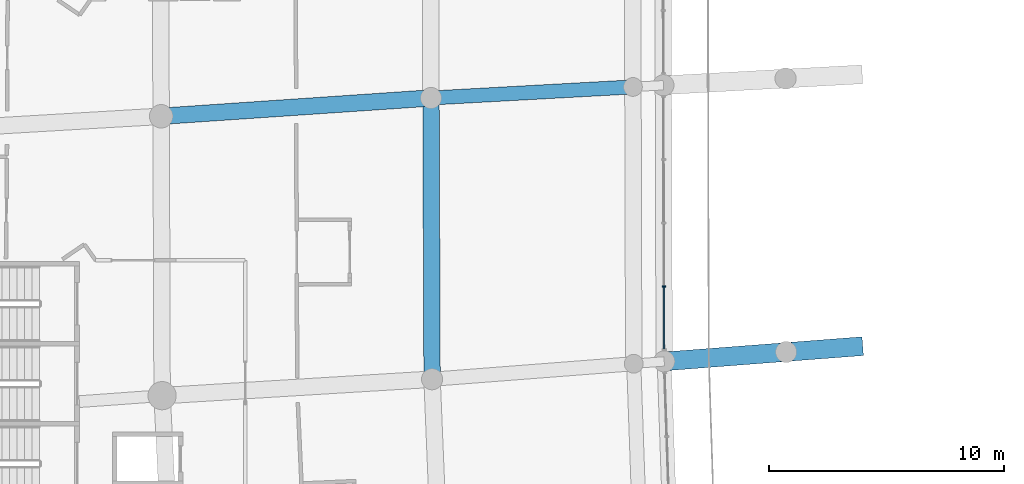
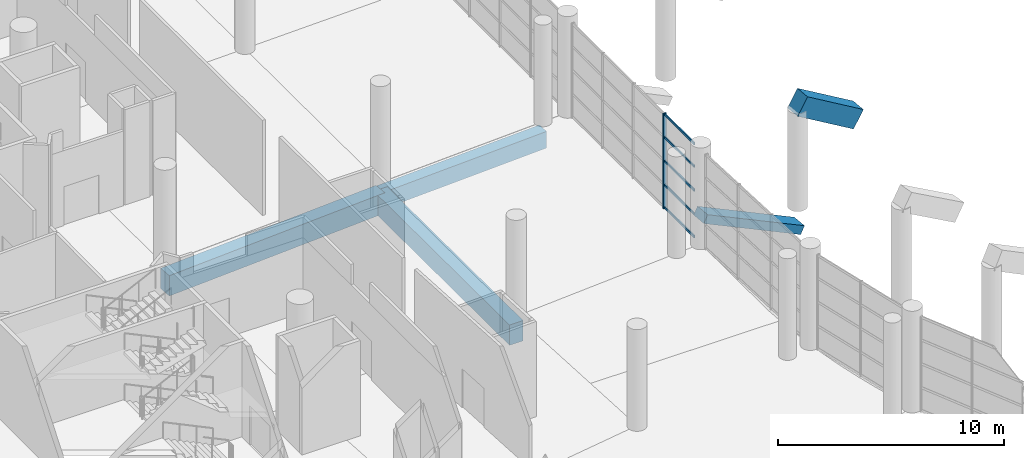
# One storey, part 33 of 271: 6 members, 5 beams, 1 element without a shape of its own.
"""IFC4 building model written with IfcOpenShell, lengths in metres."""

from ifc_helpers import new_model, si_unit, direction, frame, origin, origin_2d, place, context, subcontext, project, spatial, rectangle, extrude, material, layer, layer_set, material_profile, profile_set, type_object, element, aggregate, save


model = new_model("IFC4")

# Units and contexts
model_context = context("Model", 3, precision=1e-05, world=origin(), true_north=direction((0.0, 1.0)))
body_context = subcontext(model_context, "Body", "Model", "MODEL_VIEW")
ifc_project = project(units=[si_unit("LENGTHUNIT", "METRE"), si_unit("AREAUNIT", "SQUARE_METRE"), si_unit("VOLUMEUNIT", "CUBIC_METRE"), si_unit("PLANEANGLEUNIT", "RADIAN"), si_unit("MASSUNIT", "GRAM", prefix="KILO")], contexts=[model_context])

# Site, building, storey
site_placement = place(None, origin())
site = spatial("IfcSite", under=ifc_project, at=site_placement, CompositionType="ELEMENT")
building_placement = place(site_placement, origin())
building = spatial("IfcBuilding", under=site, at=building_placement, Name="Meseta Stadium", CompositionType="ELEMENT")
storey_placement = place(building_placement, frame((0.0, 0.0, 6.5)))
storey = spatial("IfcBuildingStorey", under=building, at=storey_placement, Name="L01", CompositionType="ELEMENT", Elevation=6.5)

# Curtain wall, members
ifc_material_1 = material(Name="Aluminium", Category="aluminium")
ifc_layer = layer(ifc_material_1, 0.199951171875)
ifc_layer_set = layer_set([ifc_layer], Name="Club glazing curtain wall")
curtain_wall_type = type_object("IfcCurtainWallType", Name="Club glazing curtain wall", PredefinedType="NOTDEFINED", material=ifc_layer_set)
curtain_wall_placement = place(storey_placement, origin())
curtain_wall = element("IfcCurtainWall", 1, at=curtain_wall_placement, inside=storey, type_object=curtain_wall_type, Name="Club glazing bay 35", PredefinedType="NOTDEFINED")
ifc_material_2 = material(Name="Aluminium", Category="aluminium")
ifc_material_profile_1 = material_profile(ifc_material_2, rectangle(XDim=0.159912109375, YDim=0.06005859375, at=origin_2d()), Name="CW 160x60")
ifc_profile_set_1 = profile_set([ifc_material_profile_1], Name="Aluminium")
member_type_1 = type_object("IfcMemberType", Name="CW mullion 60x160", PredefinedType="MULLION", material=ifc_profile_set_1)
member_1_placement = place(storey_placement, frame((-63.54248046875, -37.92138671875, 0.0), z_axis=(0.0, 0.0, 1.0), x_axis=(0.999996195715, 0.002758360998, 0.0)))
member_1 = element("IfcMember", 2, at=member_1_placement, type_object=member_type_1, Name="CWC mullion 4", PredefinedType="MULLION", context=body_context, shape_type="SweptSolid", body=[
    extrude(rectangle(XDim=0.159912109375, YDim=0.06005859375, at=origin_2d()), origin(), (0.0, 0.0, 1.0), 5.14990234375),
])
ifc_material_3 = material(Name="Aluminium", Category="aluminium")
ifc_material_profile_2 = material_profile(ifc_material_3, rectangle(XDim=0.06005859375, YDim=0.1201171875, at=origin_2d()), Name="CW 60x120")
ifc_profile_set_2 = profile_set([ifc_material_profile_2], Name="Aluminium")
member_type_2 = type_object("IfcMemberType", Name="CW transom 60x120", PredefinedType="USERDEFINED", material=ifc_profile_set_2)
member_2_placement = place(storey_placement, frame((-63.54248046875, -37.951416015625, 0.06005859375), z_axis=(0.002802941433, -0.999996071752, 0.0), x_axis=(0.999996071752, 0.002802941433, 0.0)))
member_2 = element("IfcMember", 3, at=member_2_placement, type_object=member_type_2, Name="CWC transom 4.1", ObjectType="TRANSOM", PredefinedType="USERDEFINED", context=body_context, shape_type="SweptSolid", body=[
    extrude(rectangle(XDim=0.06005859375, YDim=0.1201171875, at=origin_2d()), origin(), (0.0, 0.0, 1.0), 2.613037109375),
])
member_3_placement = place(storey_placement, frame((-63.54248046875, -37.951416015625, 1.28759765625), z_axis=(0.002802941433, -0.999996071752, 0.0), x_axis=(0.999996071752, 0.002802941433, 0.0)))
member_3 = element("IfcMember", 4, at=member_3_placement, type_object=member_type_2, Name="CWC transom 4.2", ObjectType="TRANSOM", PredefinedType="USERDEFINED", context=body_context, shape_type="SweptSolid", body=[
    extrude(rectangle(XDim=0.06005859375, YDim=0.1201171875, at=origin_2d()), origin(), (0.0, 0.0, 1.0), 2.613037109375),
])
member_4_placement = place(storey_placement, frame((-63.54248046875, -37.951416015625, 2.574951171875), z_axis=(0.002802941433, -0.999996071752, 0.0), x_axis=(0.999996071752, 0.002802941433, 0.0)))
member_4 = element("IfcMember", 5, at=member_4_placement, type_object=member_type_2, Name="CWC transom 4.3", ObjectType="TRANSOM", PredefinedType="USERDEFINED", context=body_context, shape_type="SweptSolid", body=[
    extrude(rectangle(XDim=0.06005859375, YDim=0.1201171875, at=origin_2d()), origin(), (0.0, 0.0, 1.0), 2.613037109375),
])
member_5_placement = place(storey_placement, frame((-63.54248046875, -37.951416015625, 3.862548828125), z_axis=(0.002802941433, -0.999996071752, 0.0), x_axis=(0.999996071752, 0.002802941433, 0.0)))
member_5 = element("IfcMember", 6, at=member_5_placement, type_object=member_type_2, Name="CWC transom 4.4", ObjectType="TRANSOM", PredefinedType="USERDEFINED", context=body_context, shape_type="SweptSolid", body=[
    extrude(rectangle(XDim=0.06005859375, YDim=0.1201171875, at=origin_2d()), origin(), (0.0, 0.0, 1.0), 2.613037109375),
])
member_6_placement = place(storey_placement, frame((-63.54248046875, -37.951416015625, 5.090087890625), z_axis=(0.002802941433, -0.999996071752, 0.0), x_axis=(0.999996071752, 0.002802941433, 0.0)))
member_6 = element("IfcMember", 7, at=member_6_placement, type_object=member_type_2, Name="CWC transom 4.5", ObjectType="TRANSOM", PredefinedType="USERDEFINED", context=body_context, shape_type="SweptSolid", body=[
    extrude(rectangle(XDim=0.06005859375, YDim=0.1201171875, at=origin_2d()), origin(), (0.0, 0.0, 1.0), 2.613037109375),
])
aggregate(curtain_wall, [member_1, member_2, member_3, member_4, member_5, member_6])

# Beams
ifc_material_4 = material(Name="Concrete C40/50", Category="concrete")
ifc_material_profile_3 = material_profile(ifc_material_4, rectangle(XDim=0.60009765625, YDim=0.89990234375, at=origin_2d()), Name="RC 600x900")
ifc_profile_set_3 = profile_set([ifc_material_profile_3], Name="Concrete C40/50")
beam_type_1 = type_object("IfcBeamType", Name="RC beam 600x900", PredefinedType="BEAM", material=ifc_profile_set_3)
beam_1_placement = place(storey_placement, frame((-64.8642578125, -29.433349609375, -0.800048828125), z_axis=(-0.998501047384, -0.054732607948, 0.0), x_axis=(0.054732607948, -0.998501047384, 0.0)))
element("IfcBeam", 8, at=beam_1_placement, inside=storey, type_object=beam_type_1, Name="L01 radial beam frame 35 line D to E", PredefinedType="BEAM", context=body_context, shape_type="SweptSolid", body=[
    extrude(rectangle(XDim=0.60009765625, YDim=0.89990234375, at=origin_2d()), origin(), (0.0, 0.0, 1.0), 8.60009765625),
])
ifc_material_5 = material(Name="Concrete C40/50", Category="concrete")
ifc_material_profile_4 = material_profile(ifc_material_5, rectangle(XDim=0.699951171875, YDim=1.10009765625, at=origin_2d()), Name="RC 700x1100")
ifc_profile_set_4 = profile_set([ifc_material_profile_4], Name="Concrete C40/50")
beam_type_2 = type_object("IfcBeamType", Name="RC beam 700x1100", PredefinedType="BEAM", material=ifc_profile_set_4)
beam_2_placement = place(storey_placement, frame((-73.451416015625, -29.904052734375, -0.89990234375), z_axis=(0.003899441576, -0.999992397149, 0.0), x_axis=(0.999992397149, 0.003899441576, 0.0)))
element("IfcBeam", 9, at=beam_2_placement, inside=storey, type_object=beam_type_2, Name="L01 ring beam frame 35 line E", PredefinedType="BEAM", context=body_context, shape_type="SweptSolid", body=[
    extrude(rectangle(XDim=0.699951171875, YDim=1.10009765625, at=origin_2d()), origin(), (0.0, 0.0, 1.0), 11.958251953125),
])
beam_3_placement = place(storey_placement, frame((-73.451416015625, -29.904052734375, -0.89990234375), z_axis=(-0.997711474421, -0.067615189183, 0.0), x_axis=(0.067615189183, -0.997711474421, 0.0)))
element("IfcBeam", 10, at=beam_3_placement, inside=storey, type_object=beam_type_2, Name="L01 radial beam frame 35 line E to P", PredefinedType="BEAM", context=body_context, shape_type="SweptSolid", body=[
    extrude(rectangle(XDim=0.699951171875, YDim=1.10009765625, at=origin_2d()), origin(), (0.0, 0.0, 1.0), 11.500244140625),
])
ifc_material_6 = material(Name="Concrete C40/50", Category="concrete")
ifc_material_profile_5 = material_profile(ifc_material_6, rectangle(XDim=0.800048828125, YDim=0.449951171875, at=origin_2d()), Name="RC 800x450")
ifc_profile_set_5 = profile_set([ifc_material_profile_5], Name="Concrete C40/50")
beam_type_3 = type_object("IfcBeamType", Name="RC raker lower 800x450", PredefinedType="USERDEFINED", material=ifc_profile_set_5)
beam_4_placement = place(storey_placement, frame((-58.34912109375, -40.70654296875, -1.083740234375), z_axis=(-0.888226455313, -0.068177110669, 0.454318881033), x_axis=(0.076531338178, -0.997067176411, 0.0)))
element("IfcBeam", 11, at=beam_4_placement, inside=storey, type_object=beam_type_3, Name="Raker lower frame 36 lower tier", ObjectType="RAKER", PredefinedType="USERDEFINED", context=body_context, shape_type="SweptSolid", body=[
    extrude(rectangle(XDim=0.800048828125, YDim=0.449951171875, at=origin_2d()), origin(), (0.0, 0.0, 1.0), 5.8369140625),
])
ifc_material_7 = material(Name="Concrete C40/50", Category="concrete")
ifc_material_profile_6 = material_profile(ifc_material_7, rectangle(XDim=0.800048828125, YDim=1.0, at=origin_2d()), Name="RC 800x1000")
ifc_profile_set_6 = profile_set([ifc_material_profile_6], Name="Concrete C40/50")
beam_type_4 = type_object("IfcBeamType", Name="RC raker upper front 800x1000", PredefinedType="USERDEFINED", material=ifc_profile_set_6)
beam_5_placement = place(storey_placement, frame((-55.35791015625, -40.47705078125, 3.728515625), z_axis=(-0.845544536475, -0.064872009818, 0.52994910999), x_axis=(0.076497355304, -0.997069784234, 0.0)))
element("IfcBeam", 12, at=beam_5_placement, inside=storey, type_object=beam_type_4, Name="Raker upper front frame 36 upper tier", ObjectType="RAKER", PredefinedType="USERDEFINED", context=body_context, shape_type="SweptSolid", body=[
    extrude(rectangle(XDim=0.800048828125, YDim=1.0, at=origin_2d()), origin(), (0.0, 0.0, 1.0), 3.53759765625),
])

save(model, "model.ifc")
